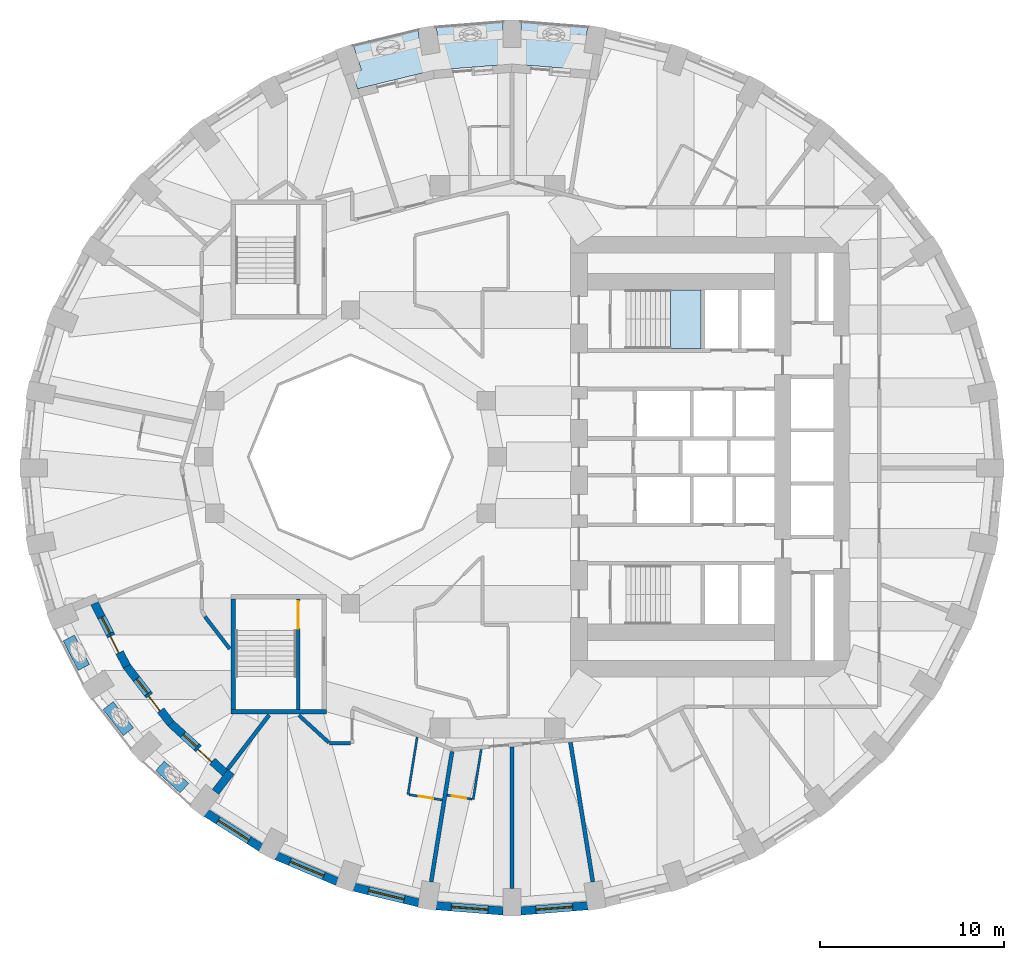
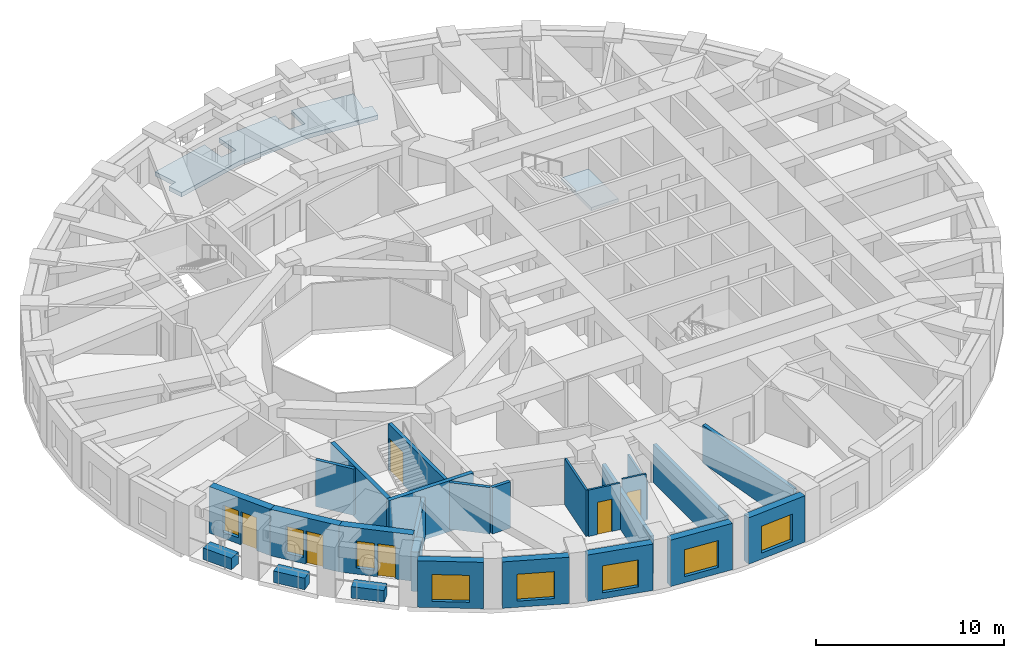
# One storey, part 3 of 12: 26 walls, 8 windows, 6 doors, 2 slabs, 14 openings, 1 element without a shape of its own.
"""IFC4 building model written with IfcOpenShell, lengths in metres."""

from ifc_helpers import new_model, si_unit, direction, frame, frame_2d, origin, place, context, subcontext, project, spatial, polyline, rectangle, outline, extrude, material, layer, layer_set, constituent, constituent_set, type_object, element, fill, aggregate, save


model = new_model("IFC4")

# Units and contexts
model_context = context("Model", 3, precision=1e-05, world=origin(), true_north=direction((0.0, 1.0)))
body_context = subcontext(model_context, "Body", "Model", "MODEL_VIEW")
ifc_project = project(units=[si_unit("LENGTHUNIT", "METRE"), si_unit("AREAUNIT", "SQUARE_METRE"), si_unit("VOLUMEUNIT", "CUBIC_METRE"), si_unit("PLANEANGLEUNIT", "RADIAN"), si_unit("MASSUNIT", "GRAM", prefix="KILO")], contexts=[model_context])

# Site, building, storey
site_placement = place(None, origin())
site = spatial("IfcSite", under=ifc_project, at=site_placement, CompositionType="ELEMENT")
building_placement = place(site_placement, origin())
building = spatial("IfcBuilding", under=site, at=building_placement, Name="Taillehof Tower", CompositionType="ELEMENT")
storey_placement = place(building_placement, frame((0.0, 0.0, 95.5)))
storey = spatial("IfcBuildingStorey", under=building, at=storey_placement, Name="L26", CompositionType="ELEMENT", Elevation=95.5)

# Slab
ifc_material_1 = material(Name="Concrete C40/50", Category="concrete")
ifc_layer_1 = layer(ifc_material_1, 0.280029296875)
ifc_layer_set_1 = layer_set([ifc_layer_1], Name="Balcony slab 280")
slab_type_1 = type_object("IfcSlabType", Name="Balcony slab 280", PredefinedType="USERDEFINED", material=ifc_layer_set_1)
slab_1_placement = place(storey_placement, frame((0.0, 0.0, -0.280029296875)))
element("IfcSlab", 1, at=slab_1_placement, inside=storey, type_object=slab_type_1, Name="Balcony L26 pocket 2", ObjectType="BALCONY", PredefinedType="USERDEFINED", context=body_context, shape_type="SweptSolid", body=[
    extrude(outline(polyline([(-7.611328125, 20.05029296875), (-7.894287109375, 20.905029296875), (-7.399169921875, 21.069091796875), (-7.857666015625, 22.45263671875), (-4.329833984375, 23.313232421875), (-4.098388671875, 21.870849609375), (-3.111083984375, 22.029541015625), (-3.34228515625, 23.469970703125), (0.300048828125, 23.76025390625), (0.300048828125, 22.300048828125), (1.300048828125, 22.300048828125), (1.300048828125, 23.76025390625), (4.942138671875, 23.469970703125), (4.7109375, 22.029541015625), (5.216064453125, 21.9482421875), (5.0732421875, 21.0595703125), (0.800048828125, 21.39990234375), (-3.473388671875, 21.0595703125), (-7.611328125, 20.05029296875)])), origin(), (0.0, 0.0, 1.0), 0.280029296875),
])

# Stair, slab
ifc_material_2 = material(Name="Concrete C40/50", Category="concrete")
stair_type = type_object("IfcStairType", Name="Exit stair half-turn", PredefinedType="HALF_TURN_STAIR", material=ifc_material_2)
stair_placement = place(storey_placement, origin())
stair = element("IfcStair", 2, at=stair_placement, inside=storey, type_object=stair_type, Name="Exit stair S1", PredefinedType="HALF_TURN_STAIR")
ifc_material_3 = material(Name="Concrete C40/50", Category="concrete")
ifc_layer_2 = layer(ifc_material_3, 0.2099609375)
ifc_layer_set_2 = layer_set([ifc_layer_2], Name="Stair landing C40/50 210")
slab_type_2 = type_object("IfcSlabType", Name="Stair landing C40/50 210", PredefinedType="LANDING", material=ifc_layer_set_2)
slab_2_placement = place(storey_placement, frame((0.0, 0.0, 1.43994140625)))
slab_2 = element("IfcSlab", 3, at=slab_2_placement, type_object=slab_type_2, Name="S1 landing 1", PredefinedType="LANDING", context=body_context, shape_type="SweptSolid", body=[
    extrude(outline(polyline([(9.429931640625, 5.89990234375), (11.10009765625, 5.89990234375), (11.10009765625, 9.10009765625), (9.429931640625, 9.10009765625), (9.429931640625, 5.89990234375)])), origin(), (0.0, 0.0, 1.0), 0.2099609375),
])
aggregate(stair, [slab_2])

# Wall, opening, window
ifc_material_4 = material(Name="Brick masonry", Category="masonry")
ifc_layer_3 = layer(ifc_material_4, 0.449951171875)
ifc_layer_set_3 = layer_set([ifc_layer_3], Name="Brick infill wall 450")
wall_type_1 = type_object("IfcWallType", Name="Brick infill wall 450", PredefinedType="SOLIDWALL", material=ifc_layer_set_3)
wall_1_placement = place(storey_placement, frame((-15.856201171875, -19.39208984375, 0.0), z_axis=(0.0, 0.0, 1.0), x_axis=(0.843891947083, -0.53651317006, 0.0)))
wall_1 = element("IfcWall", 4, at=wall_1_placement, inside=storey, type_object=wall_type_1, Name="Brick wall L26 bay 24", PredefinedType="SOLIDWALL", context=body_context, shape_type="SweptSolid", body=[
    extrude(rectangle(XDim=3.531982421875, YDim=0.449951171875, at=frame_2d((1.76611328125, 0.0))), origin(), (0.0, 0.0, 1.0), 3.02001953125),
])
opening_1_placement = place(wall_1_placement, frame((0.76611328125, 0.0, 0.39990234375)))
opening_1 = element("IfcOpeningElement", 5, at=opening_1_placement, cuts=wall_1, Name="Opening W2", PredefinedType="OPENING", context=body_context, shape_type="SweptSolid", body=[
    extrude(rectangle(XDim=2.0, YDim=1.75, at=frame_2d((1.0, 0.875))), frame((0.0, 0.23486328125, 0.0), z_axis=(0.0, -1.0, 0.0), x_axis=(1.0, 0.0, 0.0)), (0.0, 0.0, 1.0), 0.469970703125),
])
ifc_material_5 = material(Name="Aluminium window frame with clear double glazing", Category="aluminium")
window_type_1 = type_object("IfcWindowType", Name="Deep-set window 2000x1750", PartitioningType="SINGLE_PANEL", PredefinedType="WINDOW", material=ifc_material_5)
window_1_placement = place(opening_1_placement, origin())
window_1 = element("IfcWindow", 6, at=window_1_placement, inside=storey, type_object=window_type_1, Name="W2", OverallHeight=1.75, OverallWidth=2.0, PartitioningType="SINGLE_PANEL", PredefinedType="WINDOW", context=body_context, shape_type="SweptSolid", body=[
    extrude(rectangle(XDim=2.0, YDim=1.75, at=frame_2d((1.0, 0.875))), frame((0.0, 0.034912109375, 0.0), z_axis=(0.0, -1.0, 0.0), x_axis=(1.0, 0.0, 0.0)), (0.0, 0.0, 1.0), 0.06005859375),
])
fill(opening_1, window_1)

wall_2_placement = place(storey_placement, frame((-12.025390625, -21.7333984375, 0.0), z_axis=(0.0, 0.0, 1.0), x_axis=(0.920879975612, -0.389846213932, 0.0)))
wall_2 = element("IfcWall", 7, at=wall_2_placement, inside=storey, type_object=wall_type_1, Name="Brick wall L26 bay 25", PredefinedType="SOLIDWALL", context=body_context, shape_type="SweptSolid", body=[
    extrude(rectangle(XDim=3.591552734375, YDim=0.449951171875, at=frame_2d((1.7958984375, 0.0))), origin(), (0.0, 0.0, 1.0), 3.02001953125),
])
opening_2_placement = place(wall_2_placement, frame((0.795654296875, 0.0, 0.39990234375)))
opening_2 = element("IfcOpeningElement", 8, at=opening_2_placement, cuts=wall_2, Name="Opening W2", PredefinedType="OPENING", context=body_context, shape_type="SweptSolid", body=[
    extrude(rectangle(XDim=2.0, YDim=1.75, at=frame_2d((1.0, 0.875))), frame((0.0, 0.23486328125, 0.0), z_axis=(0.0, -1.0, 0.0), x_axis=(1.0, 0.0, 0.0)), (0.0, 0.0, 1.0), 0.469970703125),
])
window_2_placement = place(opening_2_placement, origin())
window_2 = element("IfcWindow", 9, at=window_2_placement, inside=storey, type_object=window_type_1, Name="W2", OverallHeight=1.75, OverallWidth=2.0, PartitioningType="SINGLE_PANEL", PredefinedType="WINDOW", context=body_context, shape_type="SweptSolid", body=[
    extrude(rectangle(XDim=2.0, YDim=1.75, at=frame_2d((1.0, 0.875))), frame((0.0, 0.034912109375, 0.0), z_axis=(0.0, -1.0, 0.0), x_axis=(1.0, 0.0, 0.0)), (0.0, 0.0, 1.0), 0.06005859375),
])
fill(opening_2, window_2)

wall_3_placement = place(storey_placement, frame((-7.806640625, -23.435302734375, 0.0), z_axis=(0.0, 0.0, 1.0), x_axis=(0.971667603162, -0.236351579148, 0.0)))
wall_3 = element("IfcWall", 10, at=wall_3_placement, inside=storey, type_object=wall_type_1, Name="Brick wall L26 bay 26", PredefinedType="SOLIDWALL", context=body_context, shape_type="SweptSolid", body=[
    extrude(rectangle(XDim=3.635009765625, YDim=0.449951171875, at=frame_2d((1.8173828125, 0.0))), origin(), (0.0, 0.0, 1.0), 3.02001953125),
])
opening_3_placement = place(wall_3_placement, frame((0.8173828125, 0.0, 0.39990234375)))
opening_3 = element("IfcOpeningElement", 11, at=opening_3_placement, cuts=wall_3, Name="Opening W2", PredefinedType="OPENING", context=body_context, shape_type="SweptSolid", body=[
    extrude(rectangle(XDim=2.0, YDim=1.75, at=frame_2d((1.0, 0.875))), frame((0.0, 0.23486328125, 0.0), z_axis=(0.0, -1.0, 0.0), x_axis=(1.0, 0.0, 0.0)), (0.0, 0.0, 1.0), 0.469970703125),
])
window_3_placement = place(opening_3_placement, origin())
window_3 = element("IfcWindow", 12, at=window_3_placement, inside=storey, type_object=window_type_1, Name="W2", OverallHeight=1.75, OverallWidth=2.0, PartitioningType="SINGLE_PANEL", PredefinedType="WINDOW", context=body_context, shape_type="SweptSolid", body=[
    extrude(rectangle(XDim=2.0, YDim=1.75, at=frame_2d((1.0, 0.875))), frame((0.0, 0.034912109375, 0.0), z_axis=(0.0, -1.0, 0.0), x_axis=(1.0, 0.0, 0.0)), (0.0, 0.0, 1.0), 0.06005859375),
])
fill(opening_3, window_3)

wall_4_placement = place(storey_placement, frame((-3.32666015625, -24.446533203125, 0.0), z_axis=(0.0, 0.0, 1.0), x_axis=(0.996862216754, -0.079156306178, 0.0)))
wall_4 = element("IfcWall", 13, at=wall_4_placement, inside=storey, type_object=wall_type_1, Name="Brick wall L26 bay 27", PredefinedType="SOLIDWALL", context=body_context, shape_type="SweptSolid", body=[
    extrude(rectangle(XDim=3.657958984375, YDim=0.449951171875, at=frame_2d((1.8291015625, 0.0))), origin(), (0.0, 0.0, 1.0), 3.02001953125),
])
opening_4_placement = place(wall_4_placement, frame((0.8291015625, 0.0, 0.39990234375)))
opening_4 = element("IfcOpeningElement", 14, at=opening_4_placement, cuts=wall_4, Name="Opening W2", PredefinedType="OPENING", context=body_context, shape_type="SweptSolid", body=[
    extrude(rectangle(XDim=2.0, YDim=1.75, at=frame_2d((1.0, 0.875))), frame((0.0, 0.23486328125, 0.0), z_axis=(0.0, -1.0, 0.0), x_axis=(1.0, 0.0, 0.0)), (0.0, 0.0, 1.0), 0.469970703125),
])
window_4_placement = place(opening_4_placement, origin())
window_4 = element("IfcWindow", 15, at=window_4_placement, inside=storey, type_object=window_type_1, Name="W2", OverallHeight=1.75, OverallWidth=2.0, PartitioningType="SINGLE_PANEL", PredefinedType="WINDOW", context=body_context, shape_type="SweptSolid", body=[
    extrude(rectangle(XDim=2.0, YDim=1.75, at=frame_2d((1.0, 0.875))), frame((0.0, 0.034912109375, 0.0), z_axis=(0.0, -1.0, 0.0), x_axis=(1.0, 0.0, 0.0)), (0.0, 0.0, 1.0), 0.06005859375),
])
fill(opening_4, window_4)

wall_5_placement = place(storey_placement, frame((1.280029296875, -24.736083984375, 0.0), z_axis=(0.0, 0.0, 1.0), x_axis=(0.996862216754, 0.079156306178, 0.0)))
wall_5 = element("IfcWall", 16, at=wall_5_placement, inside=storey, type_object=wall_type_1, Name="Brick wall L26 bay 28", PredefinedType="SOLIDWALL", context=body_context, shape_type="SweptSolid", body=[
    extrude(rectangle(XDim=3.657958984375, YDim=0.449951171875, at=frame_2d((1.8291015625, 0.0))), origin(), (0.0, 0.0, 1.0), 3.02001953125),
])
opening_5_placement = place(wall_5_placement, frame((0.8291015625, 0.0, 0.39990234375)))
opening_5 = element("IfcOpeningElement", 17, at=opening_5_placement, cuts=wall_5, Name="Opening W2", PredefinedType="OPENING", context=body_context, shape_type="SweptSolid", body=[
    extrude(rectangle(XDim=2.0, YDim=1.75, at=frame_2d((1.0, 0.875))), frame((0.0, 0.23486328125, 0.0), z_axis=(0.0, -1.0, 0.0), x_axis=(1.0, 0.0, 0.0)), (0.0, 0.0, 1.0), 0.469970703125),
])
window_5_placement = place(opening_5_placement, origin())
window_5 = element("IfcWindow", 18, at=window_5_placement, inside=storey, type_object=window_type_1, Name="W2", OverallHeight=1.75, OverallWidth=2.0, PartitioningType="SINGLE_PANEL", PredefinedType="WINDOW", context=body_context, shape_type="SweptSolid", body=[
    extrude(rectangle(XDim=2.0, YDim=1.75, at=frame_2d((1.0, 0.875))), frame((0.0, 0.034912109375, 0.0), z_axis=(0.0, -1.0, 0.0), x_axis=(1.0, 0.0, 0.0)), (0.0, 0.0, 1.0), 0.06005859375),
])
fill(opening_5, window_5)

# Wall
wall_6_placement = place(storey_placement, frame((-15.349853515625, -18.252685546875, 0.0), z_axis=(0.0, 0.0, 1.0), x_axis=(0.607026495834, 0.794681592435, 0.0)))
element("IfcWall", 19, at=wall_6_placement, inside=storey, type_object=wall_type_1, Name="Brick reveal L26 pocket 6", PredefinedType="SOLIDWALL", context=body_context, shape_type="SweptSolid", body=[
    extrude(rectangle(XDim=1.390869140625, YDim=0.449951171875, at=frame_2d((0.6953125, 0.0))), origin(), (0.0, 0.0, 1.0), 2.570068359375),
])

# Wall, openings, door, window
wall_7_placement = place(storey_placement, frame((-21.9453125, -7.970458984375, 0.0), z_axis=(0.0, 0.0, 1.0), x_axis=(0.455905146579, -0.89002836883, 0.0)))
wall_7 = element("IfcWall", 20, at=wall_7_placement, inside=storey, type_object=wall_type_1, Name="Brick wall L26 pocket bay 21", PredefinedType="SOLIDWALL", context=body_context, shape_type="SweptSolid", body=[
    extrude(rectangle(XDim=3.866943359375, YDim=0.449951171875, at=frame_2d((1.93359375, 0.0))), origin(), (0.0, 0.0, 1.0), 3.02001953125),
])
opening_6_placement = place(wall_7_placement, frame((0.8583984375, 0.0, 0.39990234375)))
opening_6 = element("IfcOpeningElement", 21, at=opening_6_placement, cuts=wall_7, Name="Opening W5", PredefinedType="OPENING", context=body_context, shape_type="SweptSolid", body=[
    extrude(rectangle(XDim=1.0, YDim=1.75, at=frame_2d((0.5, 0.875))), frame((0.0, 0.23486328125, 0.0), z_axis=(0.0, -1.0, 0.0), x_axis=(1.0, 0.0, 0.0)), (0.0, 0.0, 1.0), 0.469970703125),
])
opening_7_placement = place(wall_7_placement, frame((2.008544921875, 0.0, 0.0)))
opening_7 = element("IfcOpeningElement", 22, at=opening_7_placement, cuts=wall_7, Name="Opening D2691", PredefinedType="OPENING", context=body_context, shape_type="SweptSolid", body=[
    extrude(rectangle(XDim=1.0, YDim=2.14990234375, at=frame_2d((0.5, 1.074951171875))), frame((0.0, 0.23486328125, 0.0), z_axis=(0.0, -1.0, 0.0), x_axis=(1.0, 0.0, 0.0)), (0.0, 0.0, 1.0), 0.469970703125),
])
ifc_material_6 = material(Name="Aluminium door frame with clear double glazing", Category="aluminium")
door_type_1 = type_object("IfcDoorType", Name="Balcony door 1000x2150", OperationType="SINGLE_SWING_RIGHT", PredefinedType="DOOR", material=ifc_material_6)
door_1_placement = place(opening_7_placement, frame((1.0, 0.0, 0.0), z_axis=(0.0, 0.0, 1.0), x_axis=(-1.0, 0.0, 0.0)))
door_1 = element("IfcDoor", 23, at=door_1_placement, inside=storey, type_object=door_type_1, Name="Balcony door L26 bay 21", OperationType="SINGLE_SWING_RIGHT", OverallHeight=2.14990234375, OverallWidth=1.0, PredefinedType="DOOR", context=body_context, shape_type="SweptSolid", body=[
    extrude(rectangle(XDim=1.0, YDim=2.14990234375, at=frame_2d((0.5, 1.074951171875))), frame((0.0, 0.0751953125, 0.0), z_axis=(0.0, -1.0, 0.0), x_axis=(1.0, 0.0, 0.0)), (0.0, 0.0, 1.0), 0.050048828125),
])
fill(opening_7, door_1)
ifc_material_7 = material(Name="Aluminium window frame with clear double glazing", Category="aluminium")
window_type_2 = type_object("IfcWindowType", Name="Fixed window 1000x1750", PartitioningType="SINGLE_PANEL", PredefinedType="WINDOW", material=ifc_material_7)
window_6_placement = place(opening_6_placement, origin())
window_6 = element("IfcWindow", 24, at=window_6_placement, inside=storey, type_object=window_type_2, Name="W5", OverallHeight=1.75, OverallWidth=1.0, PartitioningType="SINGLE_PANEL", PredefinedType="WINDOW", context=body_context, shape_type="SweptSolid", body=[
    extrude(rectangle(XDim=1.0, YDim=1.75, at=frame_2d((0.5, 0.875))), frame((0.0, 0.034912109375, 0.0), z_axis=(0.0, -1.0, 0.0), x_axis=(1.0, 0.0, 0.0)), (0.0, 0.0, 1.0), 0.06005859375),
])
fill(opening_6, window_6)

wall_8_placement = place(storey_placement, frame((-20.204345703125, -11.37744140625, 0.0), z_axis=(0.0, 0.0, 1.0), x_axis=(0.609698858135, -0.792633144897, 0.0)))
wall_8 = element("IfcWall", 25, at=wall_8_placement, inside=storey, type_object=wall_type_1, Name="Brick wall L26 pocket bay 22", PredefinedType="SOLIDWALL", context=body_context, shape_type="SweptSolid", body=[
    extrude(rectangle(XDim=3.965087890625, YDim=0.449951171875, at=frame_2d((1.982421875, 0.0))), origin(), (0.0, 0.0, 1.0), 3.02001953125),
])
opening_8_placement = place(wall_8_placement, frame((0.907470703125, 0.0, 0.39990234375)))
opening_8 = element("IfcOpeningElement", 26, at=opening_8_placement, cuts=wall_8, Name="Opening W5", PredefinedType="OPENING", context=body_context, shape_type="SweptSolid", body=[
    extrude(rectangle(XDim=1.0, YDim=1.75, at=frame_2d((0.5, 0.875))), frame((0.0, 0.23486328125, 0.0), z_axis=(0.0, -1.0, 0.0), x_axis=(1.0, 0.0, 0.0)), (0.0, 0.0, 1.0), 0.469970703125),
])
opening_9_placement = place(wall_8_placement, frame((2.0576171875, 0.0, 0.0)))
opening_9 = element("IfcOpeningElement", 27, at=opening_9_placement, cuts=wall_8, Name="Opening D2692", PredefinedType="OPENING", context=body_context, shape_type="SweptSolid", body=[
    extrude(rectangle(XDim=1.0, YDim=2.14990234375, at=frame_2d((0.5, 1.074951171875))), frame((0.0, 0.23486328125, 0.0), z_axis=(0.0, -1.0, 0.0), x_axis=(1.0, 0.0, 0.0)), (0.0, 0.0, 1.0), 0.469970703125),
])
door_2_placement = place(opening_9_placement, frame((1.0, 0.0, 0.0), z_axis=(0.0, 0.0, 1.0), x_axis=(-1.0, 0.0, 0.0)))
door_2 = element("IfcDoor", 28, at=door_2_placement, inside=storey, type_object=door_type_1, Name="Balcony door L26 bay 22", OperationType="SINGLE_SWING_LEFT", OverallHeight=2.14990234375, OverallWidth=1.0, PredefinedType="DOOR", context=body_context, shape_type="SweptSolid", body=[
    extrude(rectangle(XDim=1.0, YDim=2.14990234375, at=frame_2d((0.5, 1.074951171875))), frame((0.0, 0.0751953125, 0.0), z_axis=(0.0, -1.0, 0.0), x_axis=(1.0, 0.0, 0.0)), (0.0, 0.0, 1.0), 0.050048828125),
])
fill(opening_9, door_2)
window_7_placement = place(opening_8_placement, origin())
window_7 = element("IfcWindow", 29, at=window_7_placement, inside=storey, type_object=window_type_2, Name="W5", OverallHeight=1.75, OverallWidth=1.0, PartitioningType="SINGLE_PANEL", PredefinedType="WINDOW", context=body_context, shape_type="SweptSolid", body=[
    extrude(rectangle(XDim=1.0, YDim=1.75, at=frame_2d((0.5, 0.875))), frame((0.0, 0.034912109375, 0.0), z_axis=(0.0, -1.0, 0.0), x_axis=(1.0, 0.0, 0.0)), (0.0, 0.0, 1.0), 0.06005859375),
])
fill(opening_8, window_7)

wall_9_placement = place(storey_placement, frame((-17.813720703125, -14.4912109375, 0.0), z_axis=(0.0, 0.0, 1.0), x_axis=(0.73951517403, -0.673139886933, 0.0)))
wall_9 = element("IfcWall", 30, at=wall_9_placement, inside=storey, type_object=wall_type_1, Name="Brick wall L26 pocket bay 23", PredefinedType="SOLIDWALL", context=body_context, shape_type="SweptSolid", body=[
    extrude(rectangle(XDim=4.03125, YDim=0.449951171875, at=frame_2d((2.015625, 0.0))), origin(), (0.0, 0.0, 1.0), 3.02001953125),
])
opening_10_placement = place(wall_9_placement, frame((0.940673828125, 0.0, 0.39990234375)))
opening_10 = element("IfcOpeningElement", 31, at=opening_10_placement, cuts=wall_9, Name="Opening W5", PredefinedType="OPENING", context=body_context, shape_type="SweptSolid", body=[
    extrude(rectangle(XDim=1.0, YDim=1.75, at=frame_2d((0.5, 0.875))), frame((0.0, 0.23486328125, 0.0), z_axis=(0.0, -1.0, 0.0), x_axis=(1.0, 0.0, 0.0)), (0.0, 0.0, 1.0), 0.469970703125),
])
opening_11_placement = place(wall_9_placement, frame((2.090576171875, 0.0, 0.0)))
opening_11 = element("IfcOpeningElement", 32, at=opening_11_placement, cuts=wall_9, Name="Opening D2693", PredefinedType="OPENING", context=body_context, shape_type="SweptSolid", body=[
    extrude(rectangle(XDim=1.0, YDim=2.14990234375, at=frame_2d((0.5, 1.074951171875))), frame((0.0, 0.23486328125, 0.0), z_axis=(0.0, -1.0, 0.0), x_axis=(1.0, 0.0, 0.0)), (0.0, 0.0, 1.0), 0.469970703125),
])
door_3_placement = place(opening_11_placement, frame((1.0, 0.0, 0.0), z_axis=(0.0, 0.0, 1.0), x_axis=(-1.0, 0.0, 0.0)))
door_3 = element("IfcDoor", 33, at=door_3_placement, inside=storey, type_object=door_type_1, Name="Balcony door L26 bay 23", OperationType="SINGLE_SWING_LEFT", OverallHeight=2.14990234375, OverallWidth=1.0, PredefinedType="DOOR", context=body_context, shape_type="SweptSolid", body=[
    extrude(rectangle(XDim=1.0, YDim=2.14990234375, at=frame_2d((0.5, 1.074951171875))), frame((0.0, 0.0751953125, 0.0), z_axis=(0.0, -1.0, 0.0), x_axis=(1.0, 0.0, 0.0)), (0.0, 0.0, 1.0), 0.050048828125),
])
fill(opening_11, door_3)
window_8_placement = place(opening_10_placement, origin())
window_8 = element("IfcWindow", 34, at=window_8_placement, inside=storey, type_object=window_type_2, Name="W5", OverallHeight=1.75, OverallWidth=1.0, PartitioningType="SINGLE_PANEL", PredefinedType="WINDOW", context=body_context, shape_type="SweptSolid", body=[
    extrude(rectangle(XDim=1.0, YDim=1.75, at=frame_2d((0.5, 0.875))), frame((0.0, 0.034912109375, 0.0), z_axis=(0.0, -1.0, 0.0), x_axis=(1.0, 0.0, 0.0)), (0.0, 0.0, 1.0), 0.06005859375),
])
fill(opening_10, window_8)

# Walls
ifc_material_8 = material(Name="Gypsum board on steel studs, two layers each side", Category="steel")
ifc_layer_4 = layer(ifc_material_8, 0.199951171875)
ifc_layer_set_4 = layer_set([ifc_layer_4], Name="Compartment wall corridor 200")
wall_type_2 = type_object("IfcWallType", Name="Compartment wall corridor 200", PredefinedType="PARTITIONING", material=ifc_layer_set_4)
wall_10_placement = place(storey_placement, frame((-14.573486328125, -10.4560546875, 0.0), z_axis=(0.0, 0.0, 1.0), x_axis=(-0.60967360535, 0.792652568872, 0.0)))
element("IfcWall", 35, at=wall_10_placement, inside=storey, type_object=wall_type_2, Name="Compartment wall", PredefinedType="PARTITIONING", context=body_context, shape_type="SweptSolid", body=[
    extrude(rectangle(XDim=2.222900390625, YDim=0.199951171875, at=frame_2d((1.111328125, 0.0))), origin(), (0.0, 0.0, 1.0), 3.02001953125),
])
wall_11_placement = place(storey_placement, frame((-8.0, -15.60009765625, 0.0), z_axis=(0.0, 0.0, 1.0), x_axis=(-1.0, 0.0, 0.0)))
element("IfcWall", 36, at=wall_11_placement, inside=storey, type_object=wall_type_2, Name="Compartment wall", PredefinedType="PARTITIONING", context=body_context, shape_type="SweptSolid", body=[
    extrude(rectangle(XDim=1.130859375, YDim=0.199951171875, at=frame_2d((0.5654296875, 0.0))), origin(), (0.0, 0.0, 1.0), 3.02001953125),
])
wall_12_placement = place(storey_placement, frame((-9.175537109375, -15.559814453125, 0.0), z_axis=(0.0, 0.0, 1.0), x_axis=(-0.73943556447, 0.673227336044, 0.0)))
element("IfcWall", 37, at=wall_12_placement, inside=storey, type_object=wall_type_2, Name="Compartment wall", PredefinedType="PARTITIONING", context=body_context, shape_type="SweptSolid", body=[
    extrude(rectangle(XDim=2.21240234375, YDim=0.199951171875, at=frame_2d((1.106201171875, 0.0))), origin(), (0.0, 0.0, 1.0), 3.02001953125),
])
ifc_material_9 = material(Name="Gypsum board on double steel studs with mineral wool", Category="steel")
ifc_layer_5 = layer(ifc_material_9, 0.219970703125)
ifc_layer_set_5 = layer_set([ifc_layer_5], Name="Compartment wall guest room 220")
wall_type_3 = type_object("IfcWallType", Name="Compartment wall guest room 220", PredefinedType="PARTITIONING", material=ifc_layer_set_5)
wall_13_placement = place(storey_placement, frame((-14.695556640625, -17.025390625, 0.0), z_axis=(0.0, 0.0, 1.0), x_axis=(0.607059278405, 0.794656550028, 0.0)))
element("IfcWall", 38, at=wall_13_placement, inside=storey, type_object=wall_type_3, Name="Compartment wall", PredefinedType="PARTITIONING", context=body_context, shape_type="SweptSolid", body=[
    extrude(rectangle(XDim=3.733642578125, YDim=0.219970703125, at=frame_2d((1.86669921875, 0.0))), origin(), (0.0, 0.0, 1.0), 2.570068359375),
])
wall_14_placement = place(storey_placement, frame((-3.604736328125, -23.150146484375, 0.0), z_axis=(0.0, 0.0, 1.0), x_axis=(0.158533314299, 0.987353628776, 0.0)))
element("IfcWall", 39, at=wall_14_placement, inside=storey, type_object=wall_type_3, Name="Compartment wall", PredefinedType="PARTITIONING", context=body_context, shape_type="SweptSolid", body=[
    extrude(rectangle(XDim=7.19189453125, YDim=0.219970703125, at=frame_2d((3.595947265625, 0.0))), origin(), (0.0, 0.0, 1.0), 2.469970703125),
])
for number, where, z_axis, x_axis, name in (
    (40, (0.800048828125, -23.5, 0.0), (0.0, 0.0, 1.0), (0.0, 1.0, 0.0), "Compartment wall"),
    (41, (5.20458984375, -23.150146484375, 0.0), (0.0, 0.0, 1.0), (-0.15849643951, 0.987359548828, 0.0), "Compartment wall"),
):
    element("IfcWall", number, at=place(storey_placement, frame(where, z_axis=z_axis, x_axis=x_axis)), inside=storey, type_object=wall_type_3, Name=name, PredefinedType="PARTITIONING", context=body_context, shape_type="SweptSolid", body=[
        extrude(rectangle(XDim=7.697265625, YDim=0.219970703125, at=frame_2d((3.8486328125, 0.0))), origin(), (0.0, 0.0, 1.0), 2.469970703125),
    ])
ifc_material_10 = material(Name="Gypsum board on steel studs, moisture resistant", Category="steel")
ifc_layer_6 = layer(ifc_material_10, 0.1201171875)
ifc_layer_set_6 = layer_set([ifc_layer_6], Name="En-suite wall 120")
wall_type_4 = type_object("IfcWallType", Name="En-suite wall 120", PredefinedType="PARTITIONING", material=ifc_layer_set_6)
wall_15_placement = place(storey_placement, frame((-4.364501953125, -15.265625, 0.0), z_axis=(0.0, 0.0, 1.0), x_axis=(-0.158535604942, -0.987353260979, 0.0)))
element("IfcWall", 42, at=wall_15_placement, inside=storey, type_object=wall_type_4, Name="En-suite wall", PredefinedType="PARTITIONING", context=body_context, shape_type="SweptSolid", body=[
    extrude(rectangle(XDim=3.16162109375, YDim=0.1201171875, at=frame_2d((1.580810546875, 0.0))), origin(), (0.0, 0.0, 1.0), 3.02001953125),
])
wall_16_placement = place(storey_placement, frame((-0.87646484375, -15.93505859375, 0.0), z_axis=(0.0, 0.0, 1.0), x_axis=(-0.158529926442, -0.987354172738, 0.0)))
element("IfcWall", 43, at=wall_16_placement, inside=storey, type_object=wall_type_4, Name="En-suite wall", PredefinedType="PARTITIONING", context=body_context, shape_type="SweptSolid", body=[
    extrude(rectangle(XDim=2.753662109375, YDim=0.1201171875, at=frame_2d((1.376953125, 0.0))), origin(), (0.0, 0.0, 1.0), 2.469970703125),
])

# Wall, opening, door
wall_17_placement = place(storey_placement, frame((-4.806396484375, -18.396728515625, 0.0), z_axis=(0.0, 0.0, 1.0), x_axis=(0.987339700129, -0.158620038299, 0.0)))
wall_17 = element("IfcWall", 44, at=wall_17_placement, inside=storey, type_object=wall_type_4, Name="En-suite wall", PredefinedType="PARTITIONING", context=body_context, shape_type="SweptSolid", body=[
    extrude(rectangle(XDim=1.830078125, YDim=0.1201171875, at=frame_2d((0.9150390625, 0.0))), origin(), (0.0, 0.0, 1.0), 3.02001953125),
])
opening_12_placement = place(wall_17_placement, frame((0.5400390625, 0.0, 0.0)))
opening_12 = element("IfcOpeningElement", 45, at=opening_12_placement, cuts=wall_17, Name="Opening D2654", PredefinedType="OPENING", context=body_context, shape_type="SweptSolid", body=[
    extrude(rectangle(XDim=0.800048828125, YDim=2.10009765625, at=frame_2d((0.39990234375, 1.050048828125))), frame((0.0, 0.070068359375, 0.0), z_axis=(0.0, -1.0, 0.0), x_axis=(1.0, 0.0, 0.0)), (0.0, 0.0, 1.0), 0.14013671875),
])
ifc_material_11 = material(Name="Timber door leaf in steel frame", Category="steel")
door_type_2 = type_object("IfcDoorType", Name="En-suite door 800 x 2100", OperationType="SINGLE_SWING_LEFT", PredefinedType="DOOR", material=ifc_material_11)
door_4_placement = place(opening_12_placement, origin())
door_4 = element("IfcDoor", 46, at=door_4_placement, inside=storey, type_object=door_type_2, Name="D2654", OperationType="SINGLE_SWING_RIGHT", OverallHeight=2.10009765625, OverallWidth=0.800048828125, PredefinedType="DOOR", context=body_context, shape_type="SweptSolid", body=[
    extrude(rectangle(XDim=0.800048828125, YDim=2.10009765625, at=frame_2d((0.39990234375, 1.050048828125))), frame((0.0, 0.02490234375, 0.0), z_axis=(0.0, -1.0, 0.0), x_axis=(1.0, 0.0, 0.0)), (0.0, 0.0, 1.0), 0.050048828125),
])
fill(opening_12, door_4)

wall_18_placement = place(storey_placement, frame((-1.372314453125, -18.644287109375, 0.0), z_axis=(0.0, 0.0, 1.0), x_axis=(-0.987324430422, 0.158715056288, 0.0)))
wall_18 = element("IfcWall", 47, at=wall_18_placement, inside=storey, type_object=wall_type_4, Name="En-suite wall", PredefinedType="PARTITIONING", context=body_context, shape_type="SweptSolid", body=[
    extrude(rectangle(XDim=1.3798828125, YDim=0.1201171875, at=frame_2d((0.68994140625, 0.0))), origin(), (0.0, 0.0, 1.0), 3.02001953125),
])
opening_13_placement = place(wall_18_placement, frame((0.31494140625, 0.0, 0.0)))
opening_13 = element("IfcOpeningElement", 48, at=opening_13_placement, cuts=wall_18, Name="Opening D2656", PredefinedType="OPENING", context=body_context, shape_type="SweptSolid", body=[
    extrude(rectangle(XDim=0.800048828125, YDim=2.10009765625, at=frame_2d((0.39990234375, 1.050048828125))), frame((0.0, 0.070068359375, 0.0), z_axis=(0.0, -1.0, 0.0), x_axis=(1.0, 0.0, 0.0)), (0.0, 0.0, 1.0), 0.14013671875),
])
door_5_placement = place(opening_13_placement, origin())
door_5 = element("IfcDoor", 49, at=door_5_placement, inside=storey, type_object=door_type_2, Name="D2656", OperationType="SINGLE_SWING_RIGHT", OverallHeight=2.10009765625, OverallWidth=0.800048828125, PredefinedType="DOOR", context=body_context, shape_type="SweptSolid", body=[
    extrude(rectangle(XDim=0.800048828125, YDim=2.10009765625, at=frame_2d((0.39990234375, 1.050048828125))), frame((0.0, 0.02490234375, 0.0), z_axis=(0.0, -1.0, 0.0), x_axis=(1.0, 0.0, 0.0)), (0.0, 0.0, 1.0), 0.050048828125),
])
fill(opening_13, door_5)

# Walls
ifc_material_12 = material(Name="Concrete C30/37 precast", Category="concrete")
ifc_constituent_1 = constituent(ifc_material_12, Name="Structure", Category="concrete")
ifc_material_13 = material(Name="Insulated lining")
ifc_constituent_2 = constituent(ifc_material_13, Name="Lining")
ifc_constituent_set = constituent_set(constituents=[ifc_constituent_1, ifc_constituent_2], Name="Planter trough 700x750")
wall_type_5 = type_object("IfcWallType", Name="Planter trough 700x750", PredefinedType="USERDEFINED", material=ifc_constituent_set)
wall_19_placement = place(storey_placement, frame((-23.341796875, -9.863525390625, 0.0), z_axis=(0.0, 0.0, 1.0), x_axis=(0.456845298981, -0.88954616114, 0.0)))
element("IfcWall", 50, at=wall_19_placement, inside=storey, type_object=wall_type_5, Name="Planter L26 bay 21", ObjectType="PLANTER", PredefinedType="USERDEFINED", context=body_context, shape_type="SweptSolid", body=[
    extrude(rectangle(XDim=1.7998046875, YDim=0.699951171875, at=frame_2d((0.89990234375, 0.0))), origin(), (0.0, 0.0, 1.0), 0.75),
])
wall_20_placement = place(storey_placement, frame((-21.19580078125, -13.54443359375, 0.0), z_axis=(0.0, 0.0, 1.0), x_axis=(0.610686846919, -0.791872196127, 0.0)))
element("IfcWall", 51, at=wall_20_placement, inside=storey, type_object=wall_type_5, Name="Planter L26 bay 22", ObjectType="PLANTER", PredefinedType="USERDEFINED", context=body_context, shape_type="SweptSolid", body=[
    extrude(rectangle(XDim=1.80029296875, YDim=0.699951171875, at=frame_2d((0.900146484375, 0.0))), origin(), (0.0, 0.0, 1.0), 0.75),
])
wall_21_placement = place(storey_placement, frame((-18.376708984375, -16.8291015625, 0.0), z_axis=(0.0, 0.0, 1.0), x_axis=(0.740332755969, -0.6722405897, 0.0)))
element("IfcWall", 52, at=wall_21_placement, inside=storey, type_object=wall_type_5, Name="Planter L26 bay 23", ObjectType="PLANTER", PredefinedType="USERDEFINED", context=body_context, shape_type="SweptSolid", body=[
    extrude(rectangle(XDim=1.7998046875, YDim=0.699951171875, at=frame_2d((0.89990234375, 0.0))), origin(), (0.0, 0.0, 1.0), 0.75),
])

# Wall, opening, door
ifc_material_14 = material(Name="Concrete C50/60", Category="concrete")
ifc_layer_7 = layer(ifc_material_14, 0.199951171875)
ifc_layer_set_7 = layer_set([ifc_layer_7], Name="Shaft wall C50/60 200")
wall_type_6 = type_object("IfcWallType", Name="Shaft wall C50/60 200", PredefinedType="SHEAR", material=ifc_layer_set_7)
wall_22_placement = place(storey_placement, frame((-10.85009765625, -13.75, 0.0), z_axis=(0.0, 0.0, 1.0), x_axis=(0.0, 1.0, 0.0)))
wall_22 = element("IfcWall", 53, at=wall_22_placement, inside=storey, type_object=wall_type_6, Name="Shaft wall SW", PredefinedType="SHEAR", context=body_context, shape_type="SweptSolid", body=[
    extrude(rectangle(XDim=6.0, YDim=0.199951171875, at=frame_2d((3.0, 0.0))), origin(), (0.0, 0.0, 1.0), 3.02001953125),
])
opening_14_placement = place(wall_22_placement, frame((4.39990234375, 0.0, 0.0)))
opening_14 = element("IfcOpeningElement", 54, at=opening_14_placement, cuts=wall_22, Name="Opening D2613", PredefinedType="OPENING", context=body_context, shape_type="SweptSolid", body=[
    extrude(rectangle(XDim=1.5, YDim=2.10009765625, at=frame_2d((0.75, 1.050048828125))), frame((0.0, 0.10986328125, 0.0), z_axis=(0.0, -1.0, 0.0), x_axis=(1.0, 0.0, 0.0)), (0.0, 0.0, 1.0), 0.219970703125),
])
ifc_material_15 = material(Name="Steel-faced fire door", Category="steel")
door_type_3 = type_object("IfcDoorType", Name="Stair door 1500x2100", OperationType="DOUBLE_DOOR_SINGLE_SWING", PredefinedType="DOOR", material=ifc_material_15)
door_6_placement = place(opening_14_placement, origin())
door_6 = element("IfcDoor", 55, at=door_6_placement, inside=storey, type_object=door_type_3, Name="Stair lobby door S4", OperationType="DOUBLE_DOOR_SINGLE_SWING", OverallHeight=2.10009765625, OverallWidth=1.5, PredefinedType="DOOR", context=body_context, shape_type="SweptSolid", body=[
    extrude(rectangle(XDim=1.5, YDim=2.10009765625, at=frame_2d((0.75, 1.050048828125))), frame((0.0, 0.02490234375, 0.0), z_axis=(0.0, -1.0, 0.0), x_axis=(1.0, 0.0, 0.0)), (0.0, 0.0, 1.0), 0.050048828125),
])
fill(opening_14, door_6)

# Walls
ifc_material_16 = material(Name="Concrete C50/60", Category="concrete")
ifc_layer_8 = layer(ifc_material_16, 0.25)
ifc_layer_set_8 = layer_set([ifc_layer_8], Name="Stair wall C50/60 250")
wall_type_7 = type_object("IfcWallType", Name="Stair wall C50/60 250", PredefinedType="SHEAR", material=ifc_layer_set_8)
wall_23_placement = place(storey_placement, frame((-14.375, -13.75, -0.280029296875), z_axis=(0.0, 0.0, 1.0), x_axis=(0.0, 1.0, 0.0)))
element("IfcWall", 56, at=wall_23_placement, inside=storey, type_object=wall_type_7, Name="Stair wall SC", PredefinedType="SHEAR", context=body_context, shape_type="SweptSolid", body=[
    extrude(rectangle(XDim=6.0, YDim=0.25, at=frame_2d((3.0, 0.0))), origin(), (0.0, 0.0, 1.0), 3.300048828125),
])
wall_24_placement = place(storey_placement, frame((-14.5, -13.875, -0.280029296875), z_axis=(0.0, 0.0, 1.0), x_axis=(1.0, 0.0, 0.0)))
element("IfcWall", 57, at=wall_24_placement, inside=storey, type_object=wall_type_7, Name="Stair wall SC", PredefinedType="SHEAR", context=body_context, shape_type="SweptSolid", body=[
    extrude(rectangle(XDim=5.199951171875, YDim=0.25, at=frame_2d((2.60009765625, 0.0))), origin(), (0.0, 0.0, 1.0), 3.300048828125),
])

save(model, "model.ifc")
